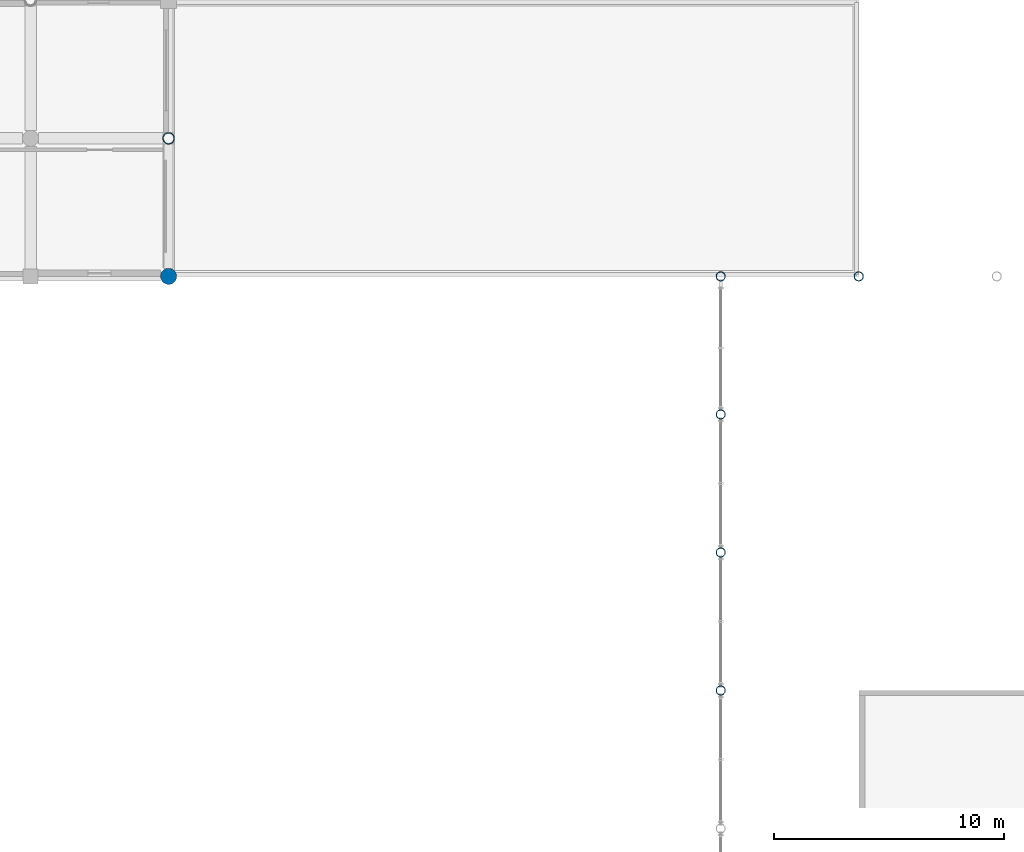
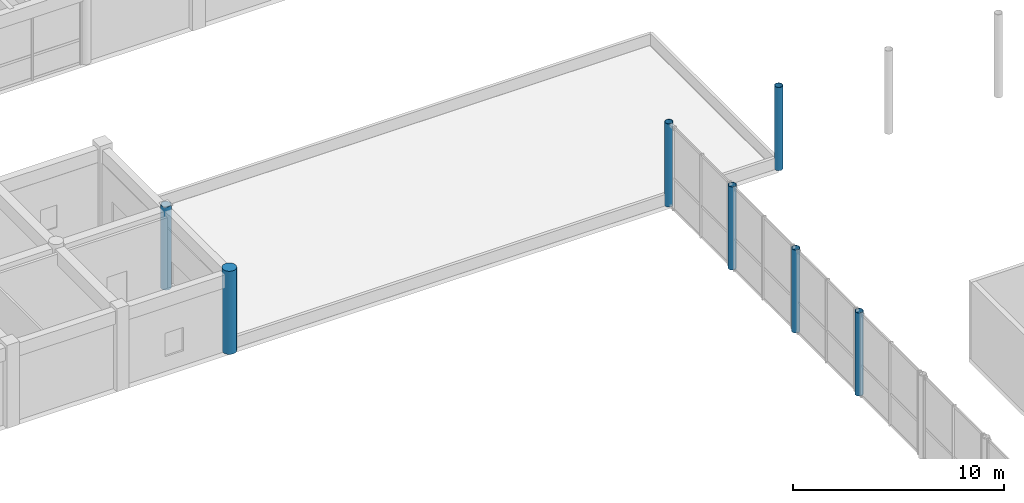
# One storey, part 9 of 123: 7 columns.
"""IFC4 building model written with IfcOpenShell, lengths in metres."""

from ifc_helpers import new_model, si_unit, direction, frame, origin, origin_2d, place, context, subcontext, project, spatial, circle, hollow_circle, extrude, material, material_profile, profile_set, type_object, element, save


model = new_model("IFC4")

# Units and contexts
model_context = context("Model", 3, precision=1e-05, world=origin(), true_north=direction((0.0, 1.0)))
body_context = subcontext(model_context, "Body", "Model", "MODEL_VIEW")
ifc_project = project(units=[si_unit("LENGTHUNIT", "METRE"), si_unit("AREAUNIT", "SQUARE_METRE"), si_unit("VOLUMEUNIT", "CUBIC_METRE"), si_unit("PLANEANGLEUNIT", "RADIAN"), si_unit("MASSUNIT", "GRAM", prefix="KILO"), si_unit("THERMODYNAMICTEMPERATUREUNIT", "KELVIN"), si_unit("POWERUNIT", "WATT")], contexts=[model_context])

# Site, building, storey
site_placement = place(None, origin())
site = spatial("IfcSite", under=ifc_project, at=site_placement, CompositionType="ELEMENT")
building_placement = place(site_placement, origin())
building = spatial("IfcBuilding", under=site, at=building_placement, Name="Phaisarnlok Congress Hotel", CompositionType="ELEMENT")
storey_placement = place(building_placement, frame((0.0, 0.0, 15.0)))
storey = spatial("IfcBuildingStorey", under=building, at=storey_placement, Name="L03", CompositionType="ELEMENT", Elevation=15.0)

# Columns
ifc_material_1 = material(Name="Concrete C50/60", Category="concrete")
ifc_material_profile_1 = material_profile(ifc_material_1, circle(Radius=0.35009765625, at=origin_2d()), Name="RCC D700")
ifc_profile_set_1 = profile_set([ifc_material_profile_1], Name="Concrete C50/60")
column_type_1 = type_object("IfcColumnType", Name="COL-RCC-700", PredefinedType="COLUMN", material=ifc_profile_set_1)
column_1_placement = place(storey_placement, frame((96.0, 84.0, 0.0), z_axis=(0.0, 0.0, 1.0), x_axis=(1.0, 0.0, 0.0)))
element("IfcColumn", 1, at=column_1_placement, inside=storey, type_object=column_type_1, Name="Column C-13 (L03)", PredefinedType="COLUMN", context=body_context, shape_type="SweptSolid", body=[
    extrude(circle(Radius=0.35009765625, at=origin_2d()), origin(), (0.0, 0.0, 1.0), 4.800048828125),
])
ifc_material_2 = material(Name="Steel S355", Category="steel")
ifc_material_profile_2 = material_profile(ifc_material_2, hollow_circle(Radius=0.203125, WallThickness=0.02001953125, at=origin_2d()), Name="CHS 406.4x20")
ifc_profile_set_2 = profile_set([ifc_material_profile_2], Name="Steel S355")
column_type_2 = type_object("IfcColumnType", Name="COL-STL-CHS406", PredefinedType="COLUMN", material=ifc_profile_set_2)
column_2_placement = place(storey_placement, frame((126.0, 84.0, 0.0), z_axis=(0.0, 0.0, 1.0), x_axis=(1.0, 0.0, 0.0)))
element("IfcColumn", 2, at=column_2_placement, inside=storey, type_object=column_type_2, Name="Cloister wing-truss bearing column SC-02 (L03)", PredefinedType="COLUMN", context=body_context, shape_type="SweptSolid", body=[
    extrude(hollow_circle(Radius=0.203125, WallThickness=0.02001953125, at=origin_2d()), origin(), (0.0, 0.0, 1.0), 4.800048828125),
])
ifc_material_profile_3 = material_profile(ifc_material_2, hollow_circle(Radius=0.203125, WallThickness=0.02001953125, at=origin_2d()), Name="CHS 406.4x20")
ifc_profile_set_3 = profile_set([ifc_material_profile_3], Name="Steel S355")
column_type_3 = type_object("IfcColumnType", Name="COL-STL-CHS406-EXT", PredefinedType="COLUMN", material=ifc_profile_set_3)
for number, where, z_axis, x_axis, name in (
    (3, (120.0, 66.0, 0.0), (0.0, 0.0, 1.0), (1.0, 0.0, 0.0), "Cloister wing-roof slim steel column SC-02E (L03)"),
    (4, (120.0, 72.0, 0.0), (0.0, 0.0, 1.0), (1.0, 0.0, 0.0), "Cloister wing-roof slim steel column SC-02E (L03)"),
    (5, (120.0, 78.0, 0.0), (0.0, 0.0, 1.0), (1.0, 0.0, 0.0), "Cloister wing-roof slim steel column SC-02E (L03)"),
    (6, (120.0, 84.0, 0.0), (0.0, 0.0, 1.0), (1.0, 0.0, 0.0), "Cloister wing-roof slim steel column SC-02E (L03)"),
):
    element("IfcColumn", number, at=place(storey_placement, frame(where, z_axis=z_axis, x_axis=x_axis)), inside=storey, type_object=column_type_3, Name=name, PredefinedType="COLUMN", context=body_context, shape_type="SweptSolid", body=[
        extrude(hollow_circle(Radius=0.203125, WallThickness=0.02001953125, at=origin_2d()), origin(), (0.0, 0.0, 1.0), 4.800048828125),
    ])
ifc_material_profile_4 = material_profile(ifc_material_2, hollow_circle(Radius=0.25390625, WallThickness=0.02490234375, at=origin_2d()), Name="CHS 508x25")
ifc_profile_set_4 = profile_set([ifc_material_profile_4], Name="Steel S355")
column_type_4 = type_object("IfcColumnType", Name="COL-STL-CHS508", PredefinedType="COLUMN", material=ifc_profile_set_4)
column_3_placement = place(storey_placement, frame((96.0, 90.0, 0.0), z_axis=(0.0, 0.0, 1.0), x_axis=(1.0, 0.0, 0.0)))
element("IfcColumn", 7, at=column_3_placement, inside=storey, type_object=column_type_4, Name="Column SC-03 (L03)", PredefinedType="COLUMN", context=body_context, shape_type="SweptSolid", body=[
    extrude(hollow_circle(Radius=0.25390625, WallThickness=0.02490234375, at=origin_2d()), origin(), (0.0, 0.0, 1.0), 4.800048828125),
])

save(model, "model.ifc")
